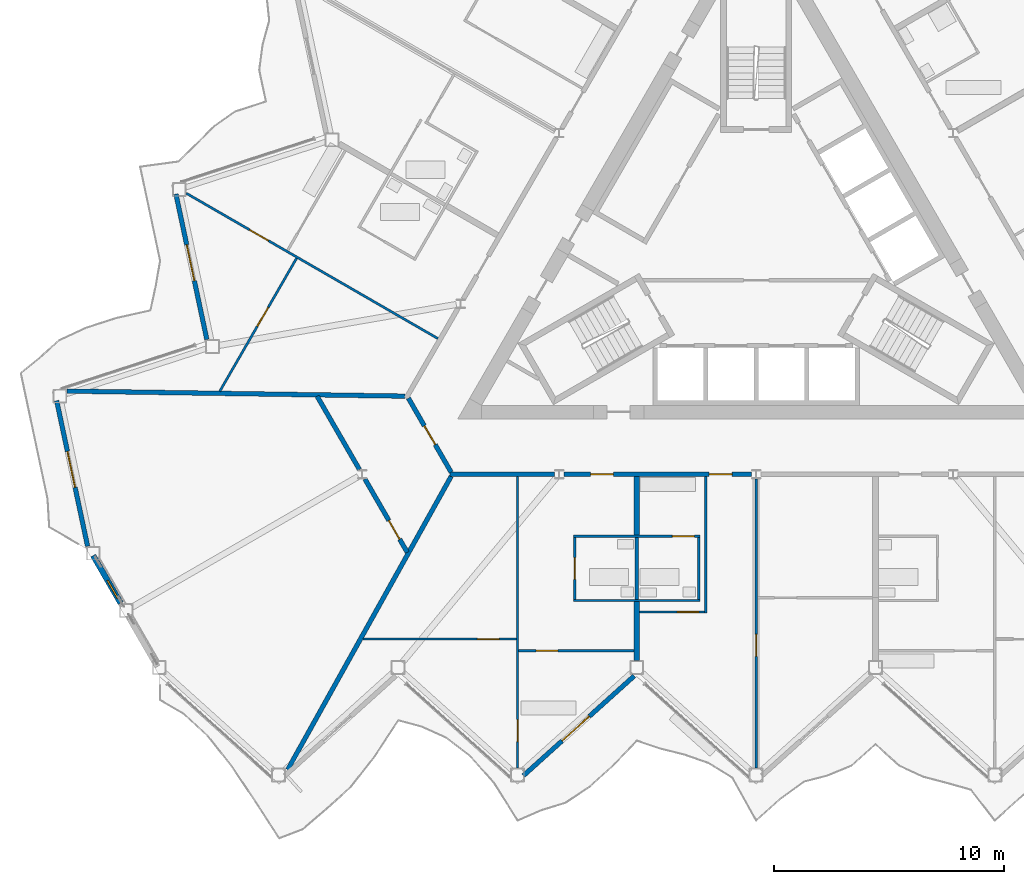
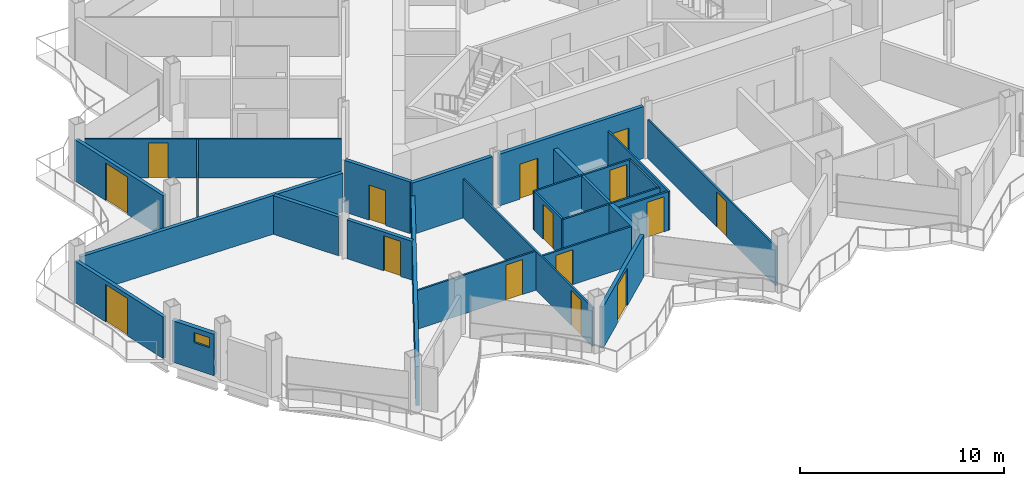
# One storey, part 13 of 26: 26 walls, 16 doors, 1 window, 17 openings.
"""IFC4 building model written with IfcOpenShell, lengths in metres."""

from ifc_helpers import new_model, si_unit, direction, frame, frame_2d, origin, place, context, subcontext, project, spatial, rectangle, extrude, material, layer, layer_set, type_object, element, fill, save


model = new_model("IFC4")

# Units and contexts
model_context = context("Model", 3, precision=1e-05, world=origin(), true_north=direction((0.0, 1.0)))
body_context = subcontext(model_context, "Body", "Model", "MODEL_VIEW")
ifc_project = project(units=[si_unit("LENGTHUNIT", "METRE"), si_unit("AREAUNIT", "SQUARE_METRE"), si_unit("VOLUMEUNIT", "CUBIC_METRE"), si_unit("PLANEANGLEUNIT", "RADIAN"), si_unit("MASSUNIT", "GRAM", prefix="KILO")], contexts=[model_context])

# Site, building, storey
site_placement = place(None, origin())
site = spatial("IfcSite", under=ifc_project, at=site_placement, CompositionType="ELEMENT")
building_placement = place(site_placement, origin())
building = spatial("IfcBuilding", under=site, at=building_placement, Name="Cormorant Prow Tower", CompositionType="ELEMENT")
storey_placement = place(building_placement, frame((0.0, 0.0, 322.199951171875)))
storey = spatial("IfcBuildingStorey", under=building, at=storey_placement, Name="L71", CompositionType="ELEMENT", Elevation=322.199951171875)

# Wall, openings, doors
ifc_material_1 = material(Name="Gypsum board corridor wall")
ifc_layer_1 = layer(ifc_material_1, 0.199951171875)
ifc_layer_set_1 = layer_set([ifc_layer_1], Name="Gypsum board corridor wall")
wall_type_1 = type_object("IfcWallType", Name="Corridor wall 200", PredefinedType="PARTITIONING", material=ifc_layer_set_1)
wall_1_placement = place(storey_placement, frame((-8.370849609375, -9.905517578125, 0.0), z_axis=(0.0, 0.0, 1.0), x_axis=(1.0, 0.0, 0.0)))
wall_1 = element("IfcWall", 1, at=wall_1_placement, inside=storey, type_object=wall_type_1, Name="Corridor wall", PredefinedType="PARTITIONING", context=body_context, shape_type="SweptSolid", body=[
    extrude(rectangle(XDim=8.1630859375, YDim=0.199951171875, at=frame_2d((4.08154296875, 0.0))), origin(), (0.0, 0.0, 1.0), 3.10009765625),
])
opening_1_placement = place(wall_1_placement, frame((1.15869140625, 0.0, 0.0)))
opening_1 = element("IfcOpeningElement", 2, at=opening_1_placement, cuts=wall_1, Name="Opening L71-F01", PredefinedType="OPENING", context=body_context, shape_type="SweptSolid", body=[
    extrude(rectangle(XDim=1.0, YDim=2.10009765625, at=frame_2d((0.5, 1.050048828125))), frame((0.0, 0.10986328125, 0.0), z_axis=(0.0, -1.0, 0.0), x_axis=(1.0, 0.0, 0.0)), (0.0, 0.0, 1.0), 0.219970703125),
])
opening_2_placement = place(wall_1_placement, frame((6.32666015625, 0.0, 0.0)))
opening_2 = element("IfcOpeningElement", 3, at=opening_2_placement, cuts=wall_1, Name="Opening L71-F06", PredefinedType="OPENING", context=body_context, shape_type="SweptSolid", body=[
    extrude(rectangle(XDim=1.0, YDim=2.10009765625, at=frame_2d((0.5, 1.050048828125))), frame((0.0, 0.10986328125, 0.0), z_axis=(0.0, -1.0, 0.0), x_axis=(1.0, 0.0, 0.0)), (0.0, 0.0, 1.0), 0.219970703125),
])
ifc_material_2 = material(Name="Timber door leaf", Category="wood")
door_type_1 = type_object("IfcDoorType", Name="Flat or room entrance door 1000x2100", OperationType="NOTDEFINED", PredefinedType="DOOR", material=ifc_material_2)
door_1_placement = place(opening_1_placement, origin())
door_1 = element("IfcDoor", 4, at=door_1_placement, inside=storey, type_object=door_type_1, Name="Living room door", OperationType="SINGLE_SWING_RIGHT", OverallHeight=2.10009765625, OverallWidth=1.0, PredefinedType="DOOR", context=body_context, shape_type="SweptSolid", body=[
    extrude(rectangle(XDim=1.0, YDim=2.10009765625, at=frame_2d((0.5, 1.050048828125))), frame((0.0, 0.02490234375, 0.0), z_axis=(0.0, -1.0, 0.0), x_axis=(1.0, 0.0, 0.0)), (0.0, 0.0, 1.0), 0.050048828125),
])
fill(opening_1, door_1)
door_2_placement = place(opening_2_placement, origin())
door_2 = element("IfcDoor", 5, at=door_2_placement, inside=storey, type_object=door_type_1, Name="Living room door", OperationType="SINGLE_SWING_LEFT", OverallHeight=2.10009765625, OverallWidth=1.0, PredefinedType="DOOR", context=body_context, shape_type="SweptSolid", body=[
    extrude(rectangle(XDim=1.0, YDim=2.10009765625, at=frame_2d((0.5, 1.050048828125))), frame((0.0, 0.02490234375, 0.0), z_axis=(0.0, -1.0, 0.0), x_axis=(1.0, 0.0, 0.0)), (0.0, 0.0, 1.0), 0.050048828125),
])
fill(opening_2, door_2)

# Wall
wall_2_placement = place(storey_placement, frame((-13.330810546875, -9.905517578125, 0.0), z_axis=(0.0, 0.0, 1.0), x_axis=(1.0, 0.0, 0.0)))
element("IfcWall", 6, at=wall_2_placement, inside=storey, type_object=wall_type_1, Name="Corridor wall", PredefinedType="PARTITIONING", context=body_context, shape_type="SweptSolid", body=[
    extrude(rectangle(XDim=4.544677734375, YDim=0.199951171875, at=frame_2d((2.2724609375, 0.0))), origin(), (0.0, 0.0, 1.0), 3.10009765625),
])

# Wall, opening, door
wall_3_placement = place(storey_placement, frame((-15.143798828125, -6.59228515625, 0.0), z_axis=(0.0, 0.0, 1.0), x_axis=(0.499958791762, -0.866049194065, 0.0)))
wall_3 = element("IfcWall", 7, at=wall_3_placement, inside=storey, type_object=wall_type_1, Name="Corridor wall", PredefinedType="PARTITIONING", context=body_context, shape_type="SweptSolid", body=[
    extrude(rectangle(XDim=3.725830078125, YDim=0.199951171875, at=frame_2d((1.86279296875, 0.0))), origin(), (0.0, 0.0, 1.0), 3.10009765625),
])
opening_3_placement = place(wall_3_placement, frame((1.387939453125, 0.0, 0.0)))
opening_3 = element("IfcOpeningElement", 8, at=opening_3_placement, cuts=wall_3, Name="Opening L71-F54", PredefinedType="OPENING", context=body_context, shape_type="SweptSolid", body=[
    extrude(rectangle(XDim=0.949951171875, YDim=2.10009765625, at=frame_2d((0.47509765625, 1.050048828125))), frame((0.0, 0.10986328125, 0.0), z_axis=(0.0, -1.0, 0.0), x_axis=(1.0, 0.0, 0.0)), (0.0, 0.0, 1.0), 0.219970703125),
])
ifc_material_3 = material(Name="Timber door leaf", Category="wood")
door_type_2 = type_object("IfcDoorType", Name="Store door 950x2100", OperationType="NOTDEFINED", PredefinedType="DOOR", material=ifc_material_3)
door_3_placement = place(opening_3_placement, origin())
door_3 = element("IfcDoor", 9, at=door_3_placement, inside=storey, type_object=door_type_2, Name="Bicycle store door", OperationType="SINGLE_SWING_RIGHT", OverallHeight=2.10009765625, OverallWidth=0.949951171875, PredefinedType="DOOR", context=body_context, shape_type="SweptSolid", body=[
    extrude(rectangle(XDim=0.949951171875, YDim=2.10009765625, at=frame_2d((0.47509765625, 1.050048828125))), frame((0.0, 0.02490234375, 0.0), z_axis=(0.0, -1.0, 0.0), x_axis=(1.0, 0.0, 0.0)), (0.0, 0.0, 1.0), 0.050048828125),
])
fill(opening_3, door_3)

# Walls
ifc_material_4 = material(Name="Gypsum board demising wall")
ifc_layer_2 = layer(ifc_material_4, 0.199951171875)
ifc_layer_set_2 = layer_set([ifc_layer_2], Name="Gypsum board demising wall")
wall_type_2 = type_object("IfcWallType", Name="Demising wall 200", PredefinedType="PARTITIONING", material=ifc_layer_set_2)
wall_4_placement = place(storey_placement, frame((-20.403564453125, -22.772216796875, 0.0), z_axis=(0.0, 0.0, 1.0), x_axis=(0.486917529285, 0.873447949036, 0.0)))
element("IfcWall", 10, at=wall_4_placement, inside=storey, type_object=wall_type_2, Name="Demising wall", PredefinedType="PARTITIONING", context=body_context, shape_type="SweptSolid", body=[
    extrude(rectangle(XDim=14.630859375, YDim=0.199951171875, at=frame_2d((7.3154296875, 0.0))), origin(), (0.0, 0.0, 1.0), 2.330078125),
])
wall_5_placement = place(storey_placement, frame((-30.013671875, -6.282470703125, 0.0), z_axis=(0.0, 0.0, 1.0), x_axis=(0.99988686643, -0.015041753265, 0.0)))
element("IfcWall", 11, at=wall_5_placement, inside=storey, type_object=wall_type_2, Name="Demising wall", PredefinedType="PARTITIONING", context=body_context, shape_type="SweptSolid", body=[
    extrude(rectangle(XDim=14.721435546875, YDim=0.199951171875, at=frame_2d((7.36083984375, 0.0))), origin(), (0.0, 0.0, 1.0), 2.330078125),
])

# Wall, opening, door
wall_6_placement = place(storey_placement, frame((-17.037109375, -10.11328125, 0.0), z_axis=(0.0, 0.0, 1.0), x_axis=(0.50002820729, -0.866009117685, 0.0)))
wall_6 = element("IfcWall", 12, at=wall_6_placement, inside=storey, type_object=wall_type_2, Name="Demising wall", PredefinedType="PARTITIONING", context=body_context, shape_type="SweptSolid", body=[
    extrude(rectangle(XDim=3.686279296875, YDim=0.199951171875, at=frame_2d((1.84326171875, 0.0))), origin(), (0.0, 0.0, 1.0), 2.330078125),
])
opening_4_placement = place(wall_6_placement, frame((2.07958984375, 0.0, 0.0)))
opening_4 = element("IfcOpeningElement", 13, at=opening_4_placement, cuts=wall_6, Name="Opening L71-F55", PredefinedType="OPENING", context=body_context, shape_type="SweptSolid", body=[
    extrude(rectangle(XDim=0.949951171875, YDim=2.10009765625, at=frame_2d((0.47509765625, 1.050048828125))), frame((0.0, 0.10986328125, 0.0), z_axis=(0.0, -1.0, 0.0), x_axis=(1.0, 0.0, 0.0)), (0.0, 0.0, 1.0), 0.219970703125),
])
door_4_placement = place(opening_4_placement, origin())
door_4 = element("IfcDoor", 14, at=door_4_placement, inside=storey, type_object=door_type_2, Name="Refuse room door", OperationType="SINGLE_SWING_RIGHT", OverallHeight=2.10009765625, OverallWidth=0.949951171875, PredefinedType="DOOR", context=body_context, shape_type="SweptSolid", body=[
    extrude(rectangle(XDim=0.949951171875, YDim=2.10009765625, at=frame_2d((0.47509765625, 1.050048828125))), frame((0.0, 0.02490234375, 0.0), z_axis=(0.0, -1.0, 0.0), x_axis=(1.0, 0.0, 0.0)), (0.0, 0.0, 1.0), 0.050048828125),
])
fill(opening_4, door_4)

# Wall
wall_7_placement = place(storey_placement, frame((-19.119873046875, -6.505615234375, 0.0), z_axis=(0.0, 0.0, 1.0), x_axis=(0.499978535015, -0.866037796245, 0.0)))
element("IfcWall", 15, at=wall_7_placement, inside=storey, type_object=wall_type_2, Name="Demising wall", PredefinedType="PARTITIONING", context=body_context, shape_type="SweptSolid", body=[
    extrude(rectangle(XDim=3.686279296875, YDim=0.199951171875, at=frame_2d((1.84326171875, 0.0))), origin(), (0.0, 0.0, 1.0), 2.330078125),
])

# Wall, opening, door
ifc_material_5 = material(Name="Gypsum board partition")
ifc_layer_3 = layer(ifc_material_5, 0.10009765625)
ifc_layer_set_3 = layer_set([ifc_layer_3], Name="Gypsum board partition")
wall_type_3 = type_object("IfcWallType", Name="Internal partition 100", PredefinedType="PARTITIONING", material=ifc_layer_set_3)
wall_8_placement = place(storey_placement, frame((-10.389404296875, -22.697998046875, 0.0), z_axis=(0.0, 0.0, 1.0), x_axis=(0.0, 1.0, 0.0)))
wall_8 = element("IfcWall", 16, at=wall_8_placement, inside=storey, type_object=wall_type_3, Name="Internal partition", PredefinedType="PARTITIONING", context=body_context, shape_type="SweptSolid", body=[
    extrude(rectangle(XDim=12.6923828125, YDim=0.10009765625, at=frame_2d((6.34619140625, 0.0))), origin(), (0.0, 0.0, 1.0), 2.330078125),
])
opening_5_placement = place(wall_8_placement, frame((1.1533203125, 0.0, 0.0)))
opening_5 = element("IfcOpeningElement", 17, at=opening_5_placement, cuts=wall_8, Name="Opening L71-F04", PredefinedType="OPENING", context=body_context, shape_type="SweptSolid", body=[
    extrude(rectangle(XDim=0.949951171875, YDim=2.10009765625, at=frame_2d((0.47509765625, 1.050048828125))), frame((0.0, 0.06005859375, 0.0), z_axis=(0.0, -1.0, 0.0), x_axis=(1.0, 0.0, 0.0)), (0.0, 0.0, 1.0), 0.1201171875),
])
ifc_material_6 = material(Name="Timber door leaf", Category="wood")
door_type_3 = type_object("IfcDoorType", Name="Bathroom door 950x2100", OperationType="NOTDEFINED", PredefinedType="DOOR", material=ifc_material_6)
door_5_placement = place(opening_5_placement, origin())
door_5 = element("IfcDoor", 18, at=door_5_placement, inside=storey, type_object=door_type_3, Name="Kitchen door", OperationType="SINGLE_SWING_LEFT", OverallHeight=2.10009765625, OverallWidth=0.949951171875, PredefinedType="DOOR", context=body_context, shape_type="SweptSolid", body=[
    extrude(rectangle(XDim=0.949951171875, YDim=2.10009765625, at=frame_2d((0.47509765625, 1.050048828125))), frame((0.0, 0.02490234375, 0.0), z_axis=(0.0, -1.0, 0.0), x_axis=(1.0, 0.0, 0.0)), (0.0, 0.0, 1.0), 0.050048828125),
])
fill(opening_5, door_5)

wall_9_placement = place(storey_placement, frame((-24.814697265625, 2.330078125, 0.0), z_axis=(0.0, 0.0, 1.0), x_axis=(0.866027776657, -0.499995890042, 0.0)))
wall_9 = element("IfcWall", 19, at=wall_9_placement, inside=storey, type_object=wall_type_3, Name="Internal partition", PredefinedType="PARTITIONING", context=body_context, shape_type="SweptSolid", body=[
    extrude(rectangle(XDim=12.6494140625, YDim=0.10009765625, at=frame_2d((6.32470703125, 0.0))), origin(), (0.0, 0.0, 1.0), 2.330078125),
])
opening_6_placement = place(wall_9_placement, frame((3.176025390625, 0.0, 0.0)))
opening_6 = element("IfcOpeningElement", 20, at=opening_6_placement, cuts=wall_9, Name="Opening L71-F52", PredefinedType="OPENING", context=body_context, shape_type="SweptSolid", body=[
    extrude(rectangle(XDim=0.949951171875, YDim=2.10009765625, at=frame_2d((0.47509765625, 1.050048828125))), frame((0.0, 0.06005859375, 0.0), z_axis=(0.0, -1.0, 0.0), x_axis=(1.0, 0.0, 0.0)), (0.0, 0.0, 1.0), 0.1201171875),
])
door_6_placement = place(opening_6_placement, origin())
door_6 = element("IfcDoor", 21, at=door_6_placement, inside=storey, type_object=door_type_3, Name="Kitchen door", OperationType="SINGLE_SWING_RIGHT", OverallHeight=2.10009765625, OverallWidth=0.949951171875, PredefinedType="DOOR", context=body_context, shape_type="SweptSolid", body=[
    extrude(rectangle(XDim=0.949951171875, YDim=2.10009765625, at=frame_2d((0.47509765625, 1.050048828125))), frame((0.0, 0.02490234375, 0.0), z_axis=(0.0, -1.0, 0.0), x_axis=(1.0, 0.0, 0.0)), (0.0, 0.0, 1.0), 0.050048828125),
])
fill(opening_6, door_6)

wall_10_placement = place(storey_placement, frame((0.0, -22.697998046875, 0.0), z_axis=(0.0, 0.0, 1.0), x_axis=(0.0, 1.0, 0.0)))
wall_10 = element("IfcWall", 22, at=wall_10_placement, inside=storey, type_object=wall_type_3, Name="Internal partition", PredefinedType="PARTITIONING", context=body_context, shape_type="SweptSolid", body=[
    extrude(rectangle(XDim=12.584716796875, YDim=0.10009765625, at=frame_2d((6.29248046875, 0.0))), origin(), (0.0, 0.0, 1.0), 2.330078125),
])
opening_7_placement = place(wall_10_placement, frame((4.864501953125, 0.0, 0.0)))
opening_7 = element("IfcOpeningElement", 23, at=opening_7_placement, cuts=wall_10, Name="Opening L71-F08", PredefinedType="OPENING", context=body_context, shape_type="SweptSolid", body=[
    extrude(rectangle(XDim=0.949951171875, YDim=2.10009765625, at=frame_2d((0.47509765625, 1.050048828125))), frame((0.0, 0.06005859375, 0.0), z_axis=(0.0, -1.0, 0.0), x_axis=(1.0, 0.0, 0.0)), (0.0, 0.0, 1.0), 0.1201171875),
])
door_7_placement = place(opening_7_placement, origin())
door_7 = element("IfcDoor", 24, at=door_7_placement, inside=storey, type_object=door_type_3, Name="Living room door", OperationType="SINGLE_SWING_RIGHT", OverallHeight=2.10009765625, OverallWidth=0.949951171875, PredefinedType="DOOR", context=body_context, shape_type="SweptSolid", body=[
    extrude(rectangle(XDim=0.949951171875, YDim=2.10009765625, at=frame_2d((0.47509765625, 1.050048828125))), frame((0.0, 0.02490234375, 0.0), z_axis=(0.0, -1.0, 0.0), x_axis=(1.0, 0.0, 0.0)), (0.0, 0.0, 1.0), 0.050048828125),
])
fill(opening_7, door_7)

wall_11_placement = place(storey_placement, frame((-23.361083984375, -6.295166015625, 0.0), z_axis=(0.0, 0.0, 1.0), x_axis=(0.499987686533, 0.866032512851, 0.0)))
wall_11 = element("IfcWall", 25, at=wall_11_placement, inside=storey, type_object=wall_type_3, Name="Internal partition", PredefinedType="PARTITIONING", context=body_context, shape_type="SweptSolid", body=[
    extrude(rectangle(XDim=6.693115234375, YDim=0.10009765625, at=frame_2d((3.3466796875, 0.0))), origin(), (0.0, 0.0, 1.0), 2.330078125),
])
opening_8_placement = place(wall_11_placement, frame((3.27490234375, 0.0, 0.0)))
opening_8 = element("IfcOpeningElement", 26, at=opening_8_placement, cuts=wall_11, Name="Opening L71-F53", PredefinedType="OPENING", context=body_context, shape_type="SweptSolid", body=[
    extrude(rectangle(XDim=0.949951171875, YDim=2.10009765625, at=frame_2d((0.47509765625, 1.050048828125))), frame((0.0, 0.06005859375, 0.0), z_axis=(0.0, -1.0, 0.0), x_axis=(1.0, 0.0, 0.0)), (0.0, 0.0, 1.0), 0.1201171875),
])
door_8_placement = place(opening_8_placement, origin())
door_8 = element("IfcDoor", 27, at=door_8_placement, inside=storey, type_object=door_type_3, Name="Bedroom door", OperationType="SINGLE_SWING_LEFT", OverallHeight=2.10009765625, OverallWidth=0.949951171875, PredefinedType="DOOR", context=body_context, shape_type="SweptSolid", body=[
    extrude(rectangle(XDim=0.949951171875, YDim=2.10009765625, at=frame_2d((0.47509765625, 1.050048828125))), frame((0.0, 0.02490234375, 0.0), z_axis=(0.0, -1.0, 0.0), x_axis=(1.0, 0.0, 0.0)), (0.0, 0.0, 1.0), 0.050048828125),
])
fill(opening_8, door_8)

wall_12_placement = place(storey_placement, frame((-17.13232421875, -17.083740234375, 0.0), z_axis=(0.0, 0.0, 1.0), x_axis=(1.0, 0.0, 0.0)))
wall_12 = element("IfcWall", 28, at=wall_12_placement, inside=storey, type_object=wall_type_3, Name="Internal partition", PredefinedType="PARTITIONING", context=body_context, shape_type="SweptSolid", body=[
    extrude(rectangle(XDim=6.69287109375, YDim=0.10009765625, at=frame_2d((3.346435546875, 0.0))), origin(), (0.0, 0.0, 1.0), 2.330078125),
])
opening_9_placement = place(wall_12_placement, frame((4.98876953125, 0.0, 0.0)))
opening_9 = element("IfcOpeningElement", 29, at=opening_9_placement, cuts=wall_12, Name="Opening L71-F05", PredefinedType="OPENING", context=body_context, shape_type="SweptSolid", body=[
    extrude(rectangle(XDim=0.949951171875, YDim=2.10009765625, at=frame_2d((0.47509765625, 1.050048828125))), frame((0.0, 0.06005859375, 0.0), z_axis=(0.0, -1.0, 0.0), x_axis=(1.0, 0.0, 0.0)), (0.0, 0.0, 1.0), 0.1201171875),
])
door_9_placement = place(opening_9_placement, origin())
door_9 = element("IfcDoor", 30, at=door_9_placement, inside=storey, type_object=door_type_3, Name="Bedroom door", OperationType="SINGLE_SWING_RIGHT", OverallHeight=2.10009765625, OverallWidth=0.949951171875, PredefinedType="DOOR", context=body_context, shape_type="SweptSolid", body=[
    extrude(rectangle(XDim=0.949951171875, YDim=2.10009765625, at=frame_2d((0.47509765625, 1.050048828125))), frame((0.0, 0.02490234375, 0.0), z_axis=(0.0, -1.0, 0.0), x_axis=(1.0, 0.0, 0.0)), (0.0, 0.0, 1.0), 0.050048828125),
])
fill(opening_9, door_9)

# Wall
wall_13_placement = place(storey_placement, frame((-2.194580078125, -15.95556640625, 0.0), z_axis=(0.0, 0.0, 1.0), x_axis=(0.0, 1.0, 0.0)))
element("IfcWall", 31, at=wall_13_placement, inside=storey, type_object=wall_type_3, Name="Internal partition", PredefinedType="PARTITIONING", context=body_context, shape_type="SweptSolid", body=[
    extrude(rectangle(XDim=5.949951171875, YDim=0.10009765625, at=frame_2d((2.97509765625, 0.0))), origin(), (0.0, 0.0, 1.0), 2.330078125),
])

# Wall, opening, door
wall_14_placement = place(storey_placement, frame((-7.944580078125, -12.605712890625, 0.0), z_axis=(0.0, 0.0, 1.0), x_axis=(1.0, 0.0, 0.0)))
wall_14 = element("IfcWall", 32, at=wall_14_placement, inside=storey, type_object=wall_type_3, Name="Internal partition", PredefinedType="PARTITIONING", context=body_context, shape_type="SweptSolid", body=[
    extrude(rectangle(XDim=5.5, YDim=0.10009765625, at=frame_2d((2.75, 0.0))), origin(), (0.0, 0.0, 1.0), 2.330078125),
])
opening_10_placement = place(wall_14_placement, frame((4.300048828125, 0.0, 0.0)))
opening_10 = element("IfcOpeningElement", 33, at=opening_10_placement, cuts=wall_14, Name="Opening L71-F10", PredefinedType="OPENING", context=body_context, shape_type="SweptSolid", body=[
    extrude(rectangle(XDim=0.949951171875, YDim=2.10009765625, at=frame_2d((0.47509765625, 1.050048828125))), frame((0.0, 0.06005859375, 0.0), z_axis=(0.0, -1.0, 0.0), x_axis=(1.0, 0.0, 0.0)), (0.0, 0.0, 1.0), 0.1201171875),
])
door_10_placement = place(opening_10_placement, origin())
door_10 = element("IfcDoor", 34, at=door_10_placement, inside=storey, type_object=door_type_3, Name="Kitchen door", OperationType="SINGLE_SWING_RIGHT", OverallHeight=2.10009765625, OverallWidth=0.949951171875, PredefinedType="DOOR", context=body_context, shape_type="SweptSolid", body=[
    extrude(rectangle(XDim=0.949951171875, YDim=2.10009765625, at=frame_2d((0.47509765625, 1.050048828125))), frame((0.0, 0.02490234375, 0.0), z_axis=(0.0, -1.0, 0.0), x_axis=(1.0, 0.0, 0.0)), (0.0, 0.0, 1.0), 0.050048828125),
])
fill(opening_10, door_10)

# Wall
wall_15_placement = place(storey_placement, frame((-7.944580078125, -15.405517578125, 0.0), z_axis=(0.0, 0.0, 1.0), x_axis=(1.0, 0.0, 0.0)))
element("IfcWall", 35, at=wall_15_placement, inside=storey, type_object=wall_type_3, Name="Internal partition", PredefinedType="PARTITIONING", context=body_context, shape_type="SweptSolid", body=[
    extrude(rectangle(XDim=5.5, YDim=0.10009765625, at=frame_2d((2.75, 0.0))), origin(), (0.0, 0.0, 1.0), 2.330078125),
])

# Wall, opening, door
wall_16_placement = place(storey_placement, frame((-10.33935546875, -17.591796875, 0.0), z_axis=(0.0, 0.0, 1.0), x_axis=(1.0, 0.0, 0.0)))
wall_16 = element("IfcWall", 36, at=wall_16_placement, inside=storey, type_object=wall_type_3, Name="Internal partition", PredefinedType="PARTITIONING", context=body_context, shape_type="SweptSolid", body=[
    extrude(rectangle(XDim=5.019775390625, YDim=0.10009765625, at=frame_2d((2.509765625, 0.0))), origin(), (0.0, 0.0, 1.0), 2.330078125),
])
opening_11_placement = place(wall_16_placement, frame((0.760009765625, 0.0, 0.0)))
opening_11 = element("IfcOpeningElement", 37, at=opening_11_placement, cuts=wall_16, Name="Opening L71-F03", PredefinedType="OPENING", context=body_context, shape_type="SweptSolid", body=[
    extrude(rectangle(XDim=0.949951171875, YDim=2.10009765625, at=frame_2d((0.47509765625, 1.050048828125))), frame((0.0, 0.06005859375, 0.0), z_axis=(0.0, -1.0, 0.0), x_axis=(1.0, 0.0, 0.0)), (0.0, 0.0, 1.0), 0.1201171875),
])
door_11_placement = place(opening_11_placement, origin())
door_11 = element("IfcDoor", 38, at=door_11_placement, inside=storey, type_object=door_type_3, Name="Living room door", OperationType="SINGLE_SWING_LEFT", OverallHeight=2.10009765625, OverallWidth=0.949951171875, PredefinedType="DOOR", context=body_context, shape_type="SweptSolid", body=[
    extrude(rectangle(XDim=0.949951171875, YDim=2.10009765625, at=frame_2d((0.47509765625, 1.050048828125))), frame((0.0, 0.02490234375, 0.0), z_axis=(0.0, -1.0, 0.0), x_axis=(1.0, 0.0, 0.0)), (0.0, 0.0, 1.0), 0.050048828125),
])
fill(opening_11, door_11)

wall_17_placement = place(storey_placement, frame((-5.069580078125, -15.905517578125, 0.0), z_axis=(0.0, 0.0, 1.0), x_axis=(1.0, 0.0, 0.0)))
wall_17 = element("IfcWall", 39, at=wall_17_placement, inside=storey, type_object=wall_type_3, Name="Internal partition", PredefinedType="PARTITIONING", context=body_context, shape_type="SweptSolid", body=[
    extrude(rectangle(XDim=2.824951171875, YDim=0.10009765625, at=frame_2d((1.41259765625, 0.0))), origin(), (0.0, 0.0, 1.0), 2.330078125),
])
opening_12_placement = place(wall_17_placement, frame((1.625, 0.0, 0.0)))
opening_12 = element("IfcOpeningElement", 40, at=opening_12_placement, cuts=wall_17, Name="Opening L71-F07", PredefinedType="OPENING", context=body_context, shape_type="SweptSolid", body=[
    extrude(rectangle(XDim=0.949951171875, YDim=2.10009765625, at=frame_2d((0.47509765625, 1.050048828125))), frame((0.0, 0.06005859375, 0.0), z_axis=(0.0, -1.0, 0.0), x_axis=(1.0, 0.0, 0.0)), (0.0, 0.0, 1.0), 0.1201171875),
])
door_12_placement = place(opening_12_placement, origin())
door_12 = element("IfcDoor", 41, at=door_12_placement, inside=storey, type_object=door_type_3, Name="Living room door", OperationType="SINGLE_SWING_RIGHT", OverallHeight=2.10009765625, OverallWidth=0.949951171875, PredefinedType="DOOR", context=body_context, shape_type="SweptSolid", body=[
    extrude(rectangle(XDim=0.949951171875, YDim=2.10009765625, at=frame_2d((0.47509765625, 1.050048828125))), frame((0.0, 0.02490234375, 0.0), z_axis=(0.0, -1.0, 0.0), x_axis=(1.0, 0.0, 0.0)), (0.0, 0.0, 1.0), 0.050048828125),
])
fill(opening_12, door_12)

wall_18_placement = place(storey_placement, frame((-7.894775390625, -15.355712890625, 0.0), z_axis=(0.0, 0.0, 1.0), x_axis=(0.0, 1.0, 0.0)))
wall_18 = element("IfcWall", 42, at=wall_18_placement, inside=storey, type_object=wall_type_3, Name="Internal partition", PredefinedType="PARTITIONING", context=body_context, shape_type="SweptSolid", body=[
    extrude(rectangle(XDim=2.7001953125, YDim=0.10009765625, at=frame_2d((1.35009765625, 0.0))), origin(), (0.0, 0.0, 1.0), 2.330078125),
])
opening_13_placement = place(wall_18_placement, frame((0.875, 0.0, 0.0)))
opening_13 = element("IfcOpeningElement", 43, at=opening_13_placement, cuts=wall_18, Name="Opening L71-F02", PredefinedType="OPENING", context=body_context, shape_type="SweptSolid", body=[
    extrude(rectangle(XDim=0.949951171875, YDim=2.10009765625, at=frame_2d((0.47509765625, 1.050048828125))), frame((0.0, 0.06005859375, 0.0), z_axis=(0.0, -1.0, 0.0), x_axis=(1.0, 0.0, 0.0)), (0.0, 0.0, 1.0), 0.1201171875),
])
door_13_placement = place(opening_13_placement, origin())
door_13 = element("IfcDoor", 44, at=door_13_placement, inside=storey, type_object=door_type_3, Name="Living room door", OperationType="SINGLE_SWING_RIGHT", OverallHeight=2.10009765625, OverallWidth=0.949951171875, PredefinedType="DOOR", context=body_context, shape_type="SweptSolid", body=[
    extrude(rectangle(XDim=0.949951171875, YDim=2.10009765625, at=frame_2d((0.47509765625, 1.050048828125))), frame((0.0, 0.02490234375, 0.0), z_axis=(0.0, -1.0, 0.0), x_axis=(1.0, 0.0, 0.0)), (0.0, 0.0, 1.0), 0.050048828125),
])
fill(opening_13, door_13)

# Walls
wall_19_placement = place(storey_placement, frame((-2.49462890625, -15.355712890625, 0.0), z_axis=(0.0, 0.0, 1.0), x_axis=(0.0, 1.0, 0.0)))
element("IfcWall", 45, at=wall_19_placement, inside=storey, type_object=wall_type_3, Name="Internal partition", PredefinedType="PARTITIONING", context=body_context, shape_type="SweptSolid", body=[
    extrude(rectangle(XDim=2.7001953125, YDim=0.10009765625, at=frame_2d((1.35009765625, 0.0))), origin(), (0.0, 0.0, 1.0), 2.330078125),
])
ifc_material_7 = material(Name="Acoustic gypsum party wall")
ifc_layer_4 = layer(ifc_material_7, 0.25)
ifc_layer_set_4 = layer_set([ifc_layer_4], Name="Acoustic gypsum party wall")
wall_type_4 = type_object("IfcWallType", Name="Suite party wall 250", PredefinedType="PARTITIONING", material=ifc_layer_set_4)
wall_20_placement = place(storey_placement, frame((-5.194580078125, -12.5556640625, 0.0), z_axis=(0.0, 0.0, 1.0), x_axis=(0.0, 1.0, 0.0)))
element("IfcWall", 46, at=wall_20_placement, inside=storey, type_object=wall_type_4, Name="Suite party wall", PredefinedType="PARTITIONING", context=body_context, shape_type="SweptSolid", body=[
    extrude(rectangle(XDim=2.550048828125, YDim=0.25, at=frame_2d((1.27490234375, 0.0))), origin(), (0.0, 0.0, 1.0), 2.330078125),
])
wall_21_placement = place(storey_placement, frame((-5.194580078125, -18.016845703125, 0.0), z_axis=(0.0, 0.0, 1.0), x_axis=(0.0, 1.0, 0.0)))
element("IfcWall", 47, at=wall_21_placement, inside=storey, type_object=wall_type_4, Name="Suite party wall", PredefinedType="PARTITIONING", context=body_context, shape_type="SweptSolid", body=[
    extrude(rectangle(XDim=2.561279296875, YDim=0.25, at=frame_2d((1.28076171875, 0.0))), origin(), (0.0, 0.0, 1.0), 2.330078125),
])

# Wall, opening, window
ifc_material_8 = material(Name="Terracotta", Category="masonry")
ifc_layer_5 = layer(ifc_material_8, 0.25)
ifc_layer_set_5 = layer_set([ifc_layer_5], Name="Terracotta")
wall_type_5 = type_object("IfcWallType", Name="Terracotta bay wall 250", PredefinedType="SOLIDWALL", material=ifc_layer_set_5)
wall_22_placement = place(storey_placement, frame((-28.871826171875, -13.447998046875, 0.0), z_axis=(0.0, 0.0, 1.0), x_axis=(0.499982446489, -0.866035538072, 0.0)))
wall_22 = element("IfcWall", 48, at=wall_22_placement, inside=storey, type_object=wall_type_5, Name="Terracotta bay wall WSW00", PredefinedType="SOLIDWALL", context=body_context, shape_type="SweptSolid", body=[
    extrude(rectangle(XDim=2.38427734375, YDim=0.25, at=frame_2d((1.192138671875, 0.0))), origin(), (0.0, 0.0, 1.0), 2.488037109375),
])
opening_14_placement = place(wall_22_placement, frame((1.25, 0.0, 1.60009765625)))
opening_14 = element("IfcOpeningElement", 49, at=opening_14_placement, cuts=wall_22, Name="Opening WN7", PredefinedType="OPENING", context=body_context, shape_type="SweptSolid", body=[
    extrude(rectangle(XDim=0.89990234375, YDim=0.60009765625, at=frame_2d((0.449951171875, 0.300048828125))), frame((0.0, 0.135009765625, 0.0), z_axis=(0.0, -1.0, 0.0), x_axis=(1.0, 0.0, 0.0)), (0.0, 0.0, 1.0), 0.27001953125),
])
ifc_material_9 = material(Name="Aluminium 6063-T6", Category="aluminium")
window_type = type_object("IfcWindowType", Name="Corner bay window 900x600", PartitioningType="SINGLE_PANEL", PredefinedType="WINDOW", material=ifc_material_9)
window_placement = place(opening_14_placement, origin())
window = element("IfcWindow", 50, at=window_placement, inside=storey, type_object=window_type, Name="Corner bay window WSW00", OverallHeight=0.60009765625, OverallWidth=0.89990234375, PartitioningType="SINGLE_PANEL", PredefinedType="WINDOW", context=body_context, shape_type="SweptSolid", body=[
    extrude(rectangle(XDim=0.89990234375, YDim=0.60009765625, at=frame_2d((0.449951171875, 0.300048828125))), frame((0.0, 0.030029296875, 0.0), z_axis=(0.0, -1.0, 0.0), x_axis=(1.0, 0.0, 0.0)), (0.0, 0.0, 1.0), 0.06005859375),
])
fill(opening_14, window)

# Wall, opening, door
ifc_material_10 = material(Name="Terracotta", Category="masonry")
ifc_layer_6 = layer(ifc_material_10, 0.199951171875)
ifc_layer_set_6 = layer_set([ifc_layer_6], Name="Terracotta")
wall_type_6 = type_object("IfcWallType", Name="Terracotta jamb wall 200", PredefinedType="SOLIDWALL", material=ifc_layer_set_6)
wall_23_placement = place(storey_placement, frame((-10.1337890625, -23.03076171875, 0.0), z_axis=(0.0, 0.0, 1.0), x_axis=(0.743138937876, 0.669137145145, 0.0)))
wall_23 = element("IfcWall", 51, at=wall_23_placement, inside=storey, type_object=wall_type_6, Name="Terracotta jamb wall S03", PredefinedType="SOLIDWALL", context=body_context, shape_type="SweptSolid", body=[
    extrude(rectangle(XDim=6.49267578125, YDim=0.199951171875, at=frame_2d((3.246337890625, 0.0))), origin(), (0.0, 0.0, 1.0), 2.488037109375),
])
opening_15_placement = place(wall_23_placement, frame((2.260986328125, 0.0, 0.0)))
opening_15 = element("IfcOpeningElement", 52, at=opening_15_placement, cuts=wall_23, Name="Opening ED71.02", PredefinedType="OPENING", context=body_context, shape_type="SweptSolid", body=[
    extrude(rectangle(XDim=1.60009765625, YDim=2.25, at=frame_2d((0.800048828125, 1.125))), frame((0.0, 0.10986328125, 0.0), z_axis=(0.0, -1.0, 0.0), x_axis=(1.0, 0.0, 0.0)), (0.0, 0.0, 1.0), 0.219970703125),
])
ifc_material_11 = material(Name="Aluminium 6063-T6", Category="aluminium")
door_type_4 = type_object("IfcDoorType", Name="Balcony door 1600x2250", OperationType="DOUBLE_DOOR_SINGLE_SWING", PredefinedType="DOOR", material=ifc_material_11)
door_14_placement = place(opening_15_placement, origin())
door_14 = element("IfcDoor", 53, at=door_14_placement, inside=storey, type_object=door_type_4, Name="Balcony door S03 ED71.02", OperationType="DOUBLE_DOOR_SINGLE_SWING", OverallHeight=2.25, OverallWidth=1.60009765625, PredefinedType="DOOR", context=body_context, shape_type="SweptSolid", body=[
    extrude(rectangle(XDim=1.60009765625, YDim=2.25, at=frame_2d((0.800048828125, 1.125))), frame((0.0, 0.02490234375, 0.0), z_axis=(0.0, -1.0, 0.0), x_axis=(1.0, 0.0, 0.0)), (0.0, 0.0, 1.0), 0.050048828125),
])
fill(opening_15, door_14)

wall_24_placement = place(storey_placement, frame((-25.267822265625, 2.296630859375, 0.0), z_axis=(0.0, 0.0, 1.0), x_axis=(0.207937232358, -0.978142171363, 0.0)))
wall_24 = element("IfcWall", 54, at=wall_24_placement, inside=storey, type_object=wall_type_6, Name="Terracotta jamb wall WNW07", PredefinedType="SOLIDWALL", context=body_context, shape_type="SweptSolid", body=[
    extrude(rectangle(XDim=6.47412109375, YDim=0.199951171875, at=frame_2d((3.237060546875, 0.0))), origin(), (0.0, 0.0, 1.0), 2.488037109375),
])
opening_16_placement = place(wall_24_placement, frame((2.260986328125, 0.0, 0.0)))
opening_16 = element("IfcOpeningElement", 55, at=opening_16_placement, cuts=wall_24, Name="Opening ED71.14", PredefinedType="OPENING", context=body_context, shape_type="SweptSolid", body=[
    extrude(rectangle(XDim=1.60009765625, YDim=2.25, at=frame_2d((0.800048828125, 1.125))), frame((0.0, 0.10986328125, 0.0), z_axis=(0.0, -1.0, 0.0), x_axis=(1.0, 0.0, 0.0)), (0.0, 0.0, 1.0), 0.219970703125),
])
door_15_placement = place(opening_16_placement, origin())
door_15 = element("IfcDoor", 56, at=door_15_placement, inside=storey, type_object=door_type_4, Name="Balcony door WNW07 ED71.14", OperationType="DOUBLE_DOOR_SINGLE_SWING", OverallHeight=2.25, OverallWidth=1.60009765625, PredefinedType="DOOR", context=body_context, shape_type="SweptSolid", body=[
    extrude(rectangle(XDim=1.60009765625, YDim=2.25, at=frame_2d((0.800048828125, 1.125))), frame((0.0, 0.02490234375, 0.0), z_axis=(0.0, -1.0, 0.0), x_axis=(1.0, 0.0, 0.0)), (0.0, 0.0, 1.0), 0.050048828125),
])
fill(opening_16, door_15)

wall_25_placement = place(storey_placement, frame((-30.46240234375, -6.700927734375, 0.0), z_axis=(0.0, 0.0, 1.0), x_axis=(0.207915966693, -0.978146691859, 0.0)))
wall_25 = element("IfcWall", 57, at=wall_25_placement, inside=storey, type_object=wall_type_6, Name="Terracotta jamb wall WNW09", PredefinedType="SOLIDWALL", context=body_context, shape_type="SweptSolid", body=[
    extrude(rectangle(XDim=6.481689453125, YDim=0.199951171875, at=frame_2d((3.24072265625, 0.0))), origin(), (0.0, 0.0, 1.0), 2.488037109375),
])
opening_17_placement = place(wall_25_placement, frame((2.260986328125, 0.0, 0.0)))
opening_17 = element("IfcOpeningElement", 58, at=opening_17_placement, cuts=wall_25, Name="Opening ED71.15", PredefinedType="OPENING", context=body_context, shape_type="SweptSolid", body=[
    extrude(rectangle(XDim=1.60009765625, YDim=2.25, at=frame_2d((0.800048828125, 1.125))), frame((0.0, 0.10986328125, 0.0), z_axis=(0.0, -1.0, 0.0), x_axis=(1.0, 0.0, 0.0)), (0.0, 0.0, 1.0), 0.219970703125),
])
door_16_placement = place(opening_17_placement, origin())
door_16 = element("IfcDoor", 59, at=door_16_placement, inside=storey, type_object=door_type_4, Name="Balcony door WNW09 ED71.15", OperationType="DOUBLE_DOOR_SINGLE_SWING", OverallHeight=2.25, OverallWidth=1.60009765625, PredefinedType="DOOR", context=body_context, shape_type="SweptSolid", body=[
    extrude(rectangle(XDim=1.60009765625, YDim=2.25, at=frame_2d((0.800048828125, 1.125))), frame((0.0, 0.02490234375, 0.0), z_axis=(0.0, -1.0, 0.0), x_axis=(1.0, 0.0, 0.0)), (0.0, 0.0, 1.0), 0.050048828125),
])
fill(opening_17, door_16)

# Wall
ifc_material_12 = material(Name="Plasterboard wet wall with pipe chase")
ifc_layer_7 = layer(ifc_material_12, 0.14990234375)
ifc_layer_set_7 = layer_set([ifc_layer_7], Name="Plasterboard wet wall with pipe chase")
wall_type_7 = type_object("IfcWallType", Name="Wet wall 150", PredefinedType="PLUMBINGWALL", material=ifc_layer_set_7)
wall_26_placement = place(storey_placement, frame((-5.194580078125, -15.355712890625, 0.0), z_axis=(0.0, 0.0, 1.0), x_axis=(0.0, 1.0, 0.0)))
element("IfcWall", 60, at=wall_26_placement, inside=storey, type_object=wall_type_7, Name="Wet wall", PredefinedType="PLUMBINGWALL", context=body_context, shape_type="SweptSolid", body=[
    extrude(rectangle(XDim=2.7001953125, YDim=0.14990234375, at=frame_2d((1.35009765625, 0.0))), origin(), (0.0, 0.0, 1.0), 2.330078125),
])

save(model, "model.ifc")
